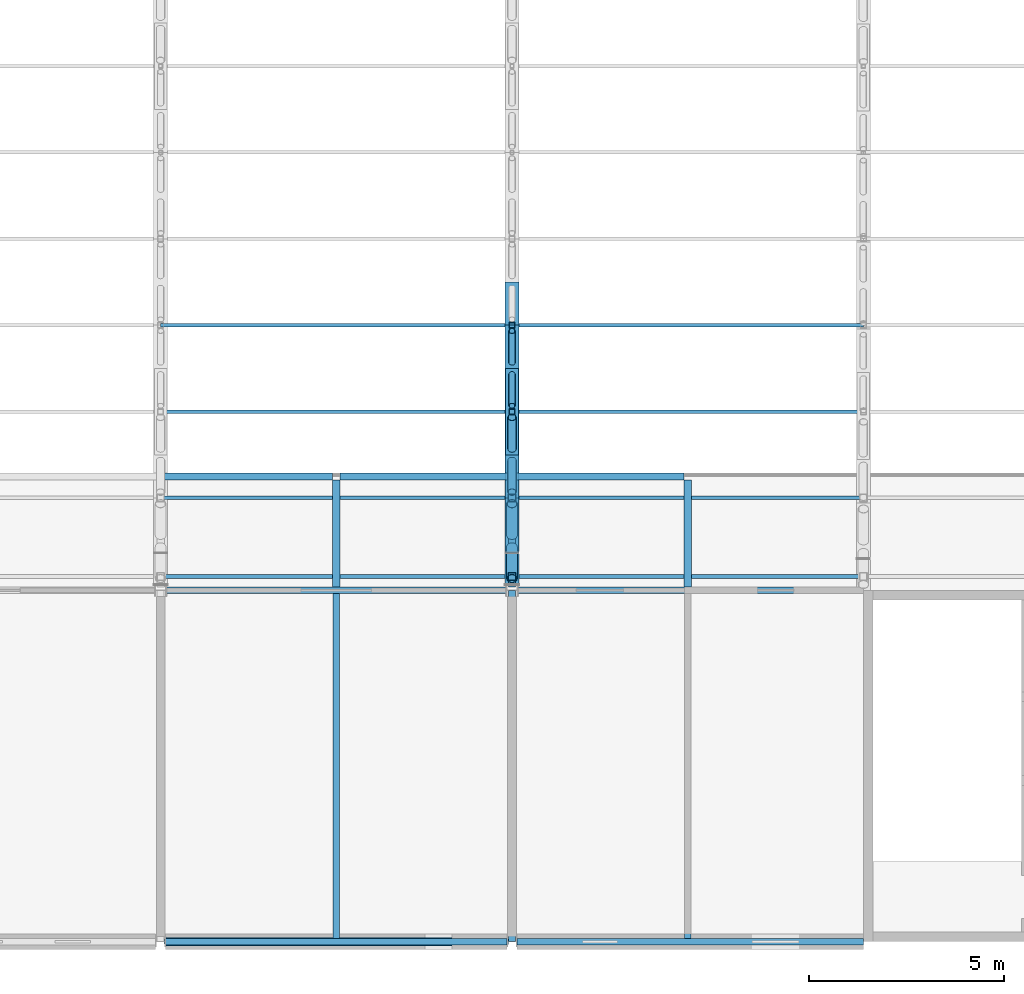
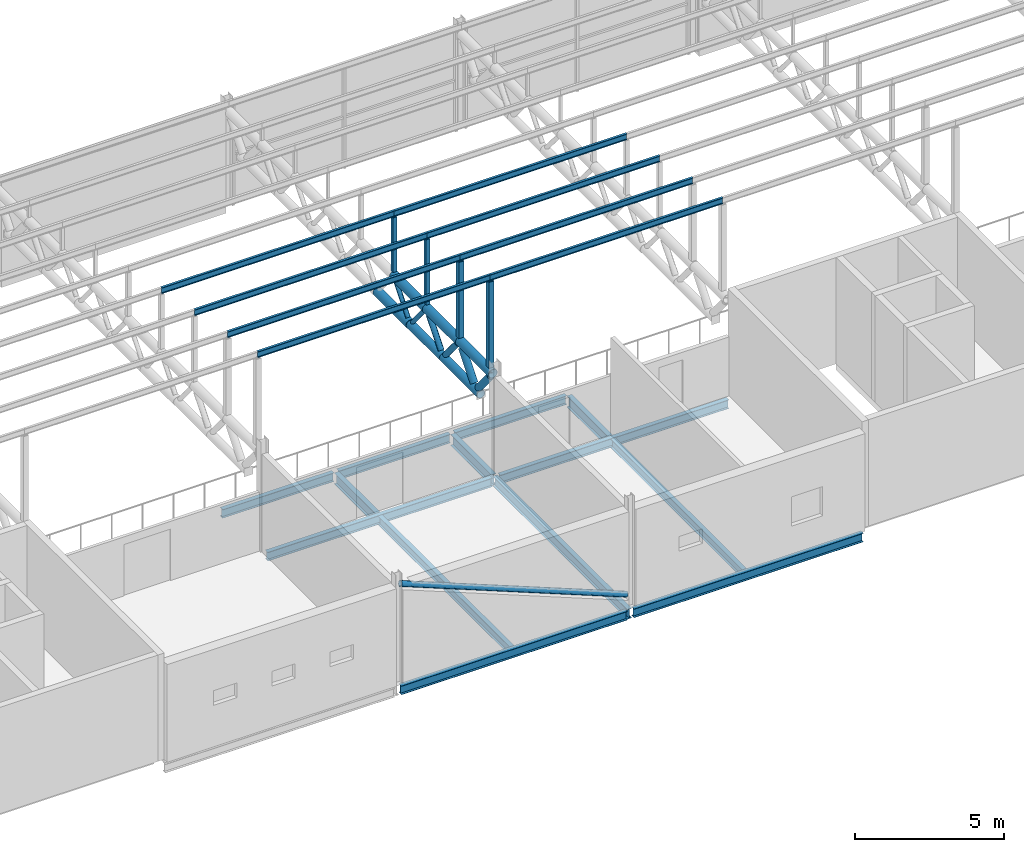
# One storey, part 43 of 138: 25 members, 13 beams.
"""IFC4 building model written with IfcOpenShell, lengths in metres."""

import ifcopenshell
import ifcopenshell.guid

model = None  # the IFC model being written
_history = None  # IfcOwnerHistory: only IFC2X3 demands one
_inside = {}  # id of a spatial element -> (the spatial element, [elements in it])
_under = {}  # id of a project, library or spatial element -> (it, [spatial elements below it])
_declared = {}  # id of a project -> (the project, [libraries it declares])
_typed = {}  # id of a type object -> (the type object, [elements of that type])
_made_of = {}  # id of a material, layer set ... -> (it, [elements and type objects made of it])


def new_model(schema):
    """Start an empty IFC model of exactly this schema.

    Asked for "IFC4X3", IfcOpenShell would pick the latest addendum, in which some entities
    have other attributes; the version numbers below select the first issue.
    IFC2X3 requires an IfcOwnerHistory on every rooted entity: one is made here for all.
    """
    global model, _history
    if schema == "IFC4X3":
        model = ifcopenshell.file(schema_version=(4, 3, 0, 0))
    else:
        model = ifcopenshell.file(schema=schema)
    _inside.clear()
    _under.clear()
    _declared.clear()
    _typed.clear()
    _made_of.clear()
    _history = None
    if model.schema == "IFC2X3":
        org = make("IfcOrganization", Name="unknown")
        user = make(
            "IfcPersonAndOrganization",
            ThePerson=make("IfcPerson", FamilyName="unknown"),
            TheOrganization=org,
        )
        app = make(
            "IfcApplication",
            ApplicationDeveloper=org,
            Version="unknown",
            ApplicationFullName="unknown",
            ApplicationIdentifier="unknown",
        )
        _history = make(
            "IfcOwnerHistory",
            OwningUser=user,
            OwningApplication=app,
            ChangeAction="ADDED",
            CreationDate=0,
        )
    return model


def make(cls, **values):
    """One entity of the class cls with the attributes given. An attribute that is None is left unset."""
    return model.create_entity(
        cls, **{name: value for name, value in values.items() if value is not None}
    )


def rooted(cls, **values):
    """An entity with a GlobalId (a new one), such as an element, a storey or a relation."""
    return make(cls, GlobalId=ifcopenshell.guid.new(), OwnerHistory=_history, **values)


def si_unit(unit_type, name, prefix=None):
    """IfcSIUnit, for example si_unit("LENGTHUNIT", "METRE", prefix="MILLI")."""
    return make("IfcSIUnit", UnitType=unit_type, Prefix=prefix, Name=name)


def assignment(units):
    """IfcUnitAssignment: the units of a project."""
    return None if units is None else make("IfcUnitAssignment", Units=units)


def point(xyz):
    """IfcCartesianPoint."""
    return None if xyz is None else make("IfcCartesianPoint", Coordinates=xyz)


def direction(xyz):
    """IfcDirection."""
    return None if xyz is None else make("IfcDirection", DirectionRatios=xyz)


def frame(location, z_axis=None, x_axis=None):
    """IfcAxis2Placement3D, a coordinate frame: its origin and axes. An axis left out is left unset."""
    return make(
        "IfcAxis2Placement3D",
        Location=point(location),
        Axis=direction(z_axis),
        RefDirection=direction(x_axis),
    )


def frame_2d(location, x_axis=None):
    """IfcAxis2Placement2D, a coordinate frame in the plane: its origin and x axis."""
    return make(
        "IfcAxis2Placement2D", Location=point(location), RefDirection=direction(x_axis)
    )


def origin():
    """The frame at (0, 0, 0) with its axes left unset."""
    return frame((0.0, 0.0, 0.0))


def origin_2d():
    """The frame at (0, 0) in the plane with its x axis left unset."""
    return frame_2d((0.0, 0.0))


def place(relative_to, where):
    """IfcLocalPlacement: puts the frame where relative to a parent placement (None: the world)."""
    return make(
        "IfcLocalPlacement", PlacementRelTo=relative_to, RelativePlacement=where
    )


def context(
    kind, dimensions, precision=None, world=None, true_north=None, identifier=None
):
    """IfcGeometricRepresentationContext, for example the 3D "Model" context."""
    return make(
        "IfcGeometricRepresentationContext",
        ContextIdentifier=identifier,
        ContextType=kind,
        CoordinateSpaceDimension=dimensions,
        Precision=precision,
        WorldCoordinateSystem=world,
        TrueNorth=true_north,
    )


def subcontext(parent, identifier, kind, view, scale=None):
    """IfcGeometricRepresentationSubContext, for example "Body" below "Model"."""
    return make(
        "IfcGeometricRepresentationSubContext",
        ContextIdentifier=identifier,
        ContextType=kind,
        ParentContext=parent,
        TargetScale=scale,
        TargetView=view,
    )


def project(units=None, contexts=None):
    """IfcProject with its units and contexts."""
    return rooted(
        "IfcProject",
        Name="project",
        RepresentationContexts=contexts,
        UnitsInContext=assignment(units),
    )


def spatial(cls, under=None, at=None, **own):
    """A site, building, storey or space (cls), placed at a placement, below another one or the project."""
    s = rooted(cls, ObjectPlacement=at, **own)
    if under is not None:
        _under.setdefault(under.id(), (under, []))[1].append(s)
    return s


def profile(cls, at=None, kind="AREA", **sizes):
    """A parametric profile (cls). Its sizes go by their IFC names, for example OverallWidth=200.0."""
    return make(cls, ProfileType=kind, Position=at, **sizes)


def hollow_rectangle(**sizes):
    """IfcRectangleHollowProfileDef."""
    return profile("IfcRectangleHollowProfileDef", **sizes)


def hollow_circle(**sizes):
    """IfcCircleHollowProfileDef."""
    return profile("IfcCircleHollowProfileDef", **sizes)


def i_section(**sizes):
    """IfcIShapeProfileDef."""
    return profile("IfcIShapeProfileDef", **sizes)


def extrude(swept, where, along, depth):
    """IfcExtrudedAreaSolid: the profile swept, set in the frame where, extruded along a direction by depth."""
    return make(
        "IfcExtrudedAreaSolid",
        SweptArea=swept,
        Position=where,
        ExtrudedDirection=direction(along),
        Depth=depth,
    )


def shape(context_of_items, identifier, shape_type, items):
    """IfcShapeRepresentation: the items that make up one representation, for example the "Body"."""
    return make(
        "IfcShapeRepresentation",
        ContextOfItems=context_of_items,
        RepresentationIdentifier=identifier,
        RepresentationType=shape_type,
        Items=items,
    )


def material(Name=None, Category=None):
    """IfcMaterial."""
    return make("IfcMaterial", Name=Name, Category=Category)


def material_profile(
    of_material, cross_section, Name=None, Category=None, Priority=None
):
    """IfcMaterialProfile: a cross section and its material."""
    return make(
        "IfcMaterialProfile",
        Name=Name,
        Material=of_material,
        Profile=cross_section,
        Priority=Priority,
        Category=Category,
    )


def profile_set(profiles, Name=None, composite=None):
    """IfcMaterialProfileSet."""
    return make(
        "IfcMaterialProfileSet",
        Name=Name,
        MaterialProfiles=profiles,
        CompositeProfile=composite,
    )


def made_of(thing, what):
    """Note that an element or type object is made of a material, layer set ...; save() writes the relation."""
    if what is not None:
        _made_of.setdefault(what.id(), (what, []))[1].append(thing)
    return thing


def type_object(cls, material=None, **own):
    """A type object (cls), such as IfcWallType, which elements share."""
    return made_of(rooted(cls, **own), material)


def element(
    cls,
    number,
    at=None,
    inside=None,
    cuts=None,
    type_object=None,
    material=None,
    context=None,
    identifier="Body",
    shape_type=None,
    held_by="IfcProductDefinitionShape",
    body=None,
    shapes=None,
    **own,
):
    """One element of the class cls, such as IfcWall. Its Tag is "e" and its number.

    at: its placement. inside: the storey or other place that contains it. cuts: it is an
    opening in that element (IfcRelVoidsElement). A single representation is given by context,
    identifier, shape_type and body (its items); several are given by shapes. held_by: the class
    of the entity that holds the representations. save() writes the other relations.
    """
    e = rooted(cls, Tag="e%d" % number, ObjectPlacement=at, **own)
    if body is not None:
        shapes = [shape(context, identifier, shape_type, body)]
    if shapes is not None:
        e.Representation = make(held_by, Representations=shapes)
    if inside is not None:
        _inside.setdefault(inside.id(), (inside, []))[1].append(e)
    if cuts is not None:
        rooted(
            "IfcRelVoidsElement", RelatingBuildingElement=cuts, RelatedOpeningElement=e
        )
    if type_object is not None:
        _typed.setdefault(type_object.id(), (type_object, []))[1].append(e)
    return made_of(e, material)


def aggregate(whole, parts):
    """IfcRelAggregates: a whole, such as a stair, and the parts it consists of."""
    return rooted("IfcRelAggregates", RelatingObject=whole, RelatedObjects=parts)


def save(model, path):
    """Write the relations noted so far, then the file.

    IfcRelAggregates (storeys below a building ...), IfcRelContainedInSpatialStructure (elements
    in a storey), IfcRelDefinesByType, IfcRelAssociatesMaterial and IfcRelDeclares: one each for
    every whole, place, type object, material and project.
    """
    for whole, parts in _under.values():
        aggregate(whole, parts)
    for where, things in _inside.values():
        rooted(
            "IfcRelContainedInSpatialStructure",
            RelatedElements=things,
            RelatingStructure=where,
        )
    for kind, things in _typed.values():
        rooted("IfcRelDefinesByType", RelatedObjects=things, RelatingType=kind)
    for what, things in _made_of.values():
        rooted("IfcRelAssociatesMaterial", RelatedObjects=things, RelatingMaterial=what)
    for by, libraries in _declared.values():
        rooted("IfcRelDeclares", RelatingContext=by, RelatedDefinitions=libraries)
    model.write(path)


model = new_model("IFC4")

# Units and contexts
model_context = context("Model", 3, precision=1e-05, world=origin(), true_north=direction((0.0, 1.0)))
body_context = subcontext(model_context, "Body", "Model", "MODEL_VIEW")
ifc_project = project(units=[si_unit("LENGTHUNIT", "METRE"), si_unit("AREAUNIT", "SQUARE_METRE"), si_unit("VOLUMEUNIT", "CUBIC_METRE"), si_unit("PLANEANGLEUNIT", "RADIAN"), si_unit("MASSUNIT", "GRAM", prefix="KILO")], contexts=[model_context])

# Site, building, storey
site_placement = place(None, origin())
site = spatial("IfcSite", under=ifc_project, at=site_placement, CompositionType="ELEMENT")
building_placement = place(site_placement, origin())
building = spatial("IfcBuilding", under=site, at=building_placement, Name="Corbel Yard City Hall", CompositionType="ELEMENT")
storey_placement = place(building_placement, frame((0.0, 0.0, 10.5)))
storey = spatial("IfcBuildingStorey", under=building, at=storey_placement, Name="L02", CompositionType="ELEMENT", Elevation=10.5)

# Beam
ifc_material_1 = material(Name="Steel Grade 300 (300 MPa yield)", Category="steel")
ifc_material_profile_1 = material_profile(ifc_material_1, i_section(OverallWidth=0.177978515625, OverallDepth=0.403076171875, WebThickness=0.007568359375, FlangeThickness=0.010986328125, at=origin_2d()), Name="410UB53.7")
ifc_profile_set_1 = profile_set([ifc_material_profile_1], Name="Steel Grade 300 (300 MPa yield)")
beam_type_1 = type_object("IfcBeamType", Name="Beam 410UB53.7", PredefinedType="BEAM", material=ifc_profile_set_1)
beam_1_placement = place(storey_placement, frame((72.0, 0.00537109375, -0.3515625), z_axis=(0.0, 1.0, 0.0), x_axis=(-1.0, 0.0, 0.0)))
element("IfcBeam", 1, at=beam_1_placement, inside=storey, type_object=beam_type_1, Name="Beam 410UB53.7 SB6 L02floor", PredefinedType="BEAM", context=body_context, shape_type="SweptSolid", body=[
    extrude(i_section(OverallWidth=0.177978515625, OverallDepth=0.403076171875, WebThickness=0.007568359375, FlangeThickness=0.010986328125, at=origin_2d()), origin(), (0.0, 0.0, 1.0), 8.98876953125),
])

# Member
ifc_material_2 = material(Name="Steel Grade C350L0", Category="steel")
ifc_material_profile_2 = material_profile(ifc_material_2, hollow_circle(Radius=0.109619140625, WallThickness=0.00830078125, at=origin_2d()), Name="219.1x8.2CHS")
ifc_profile_set_2 = profile_set([ifc_material_profile_2], Name="Steel Grade C350L0")
member_type_1 = type_object("IfcMemberType", Name="Braced bay diagonal 219.1x8.2CHS", PredefinedType="BRACE", material=ifc_profile_set_2)
member_1_placement = place(storey_placement, frame((63.126953125, 0.0, 4.0), z_axis=(0.928419485655, 0.0, -0.371533657502), x_axis=(0.0, 1.0, 0.0)))
element("IfcMember", 2, at=member_1_placement, inside=storey, type_object=member_type_1, Name="Brace 219.1x8.2CHS BR2", PredefinedType="BRACE", context=body_context, shape_type="SweptSolid", body=[
    extrude(hollow_circle(Radius=0.109619140625, WallThickness=0.00830078125, at=origin_2d()), origin(), (0.0, 0.0, 1.0), 9.42041015625),
])

# Beams
ifc_material_profile_3 = material_profile(ifc_material_1, i_section(OverallWidth=0.172119140625, OverallDepth=0.35888671875, WebThickness=0.008056640625, FlangeThickness=0.012939453125, at=origin_2d()), Name="360UB56.7")
ifc_profile_set_3 = profile_set([ifc_material_profile_3], Name="Steel Grade 300 (300 MPa yield)")
beam_type_2 = type_object("IfcBeamType", Name="Edge beam 360UB56.7", PredefinedType="BEAM", material=ifc_profile_set_3)
beam_2_placement = place(storey_placement, frame((63.1298828125, 0.0, -0.32958984375), z_axis=(1.0, 0.0, 0.0), x_axis=(0.0, 1.0, 0.0)))
element("IfcBeam", 3, at=beam_2_placement, inside=storey, type_object=beam_type_2, Name="Edge beam 360UB56.7 EB4 L02floor", PredefinedType="BEAM", context=body_context, shape_type="SweptSolid", body=[
    extrude(i_section(OverallWidth=0.172119140625, OverallDepth=0.35888671875, WebThickness=0.008056640625, FlangeThickness=0.012939453125, at=origin_2d()), origin(), (0.0, 0.0, 1.0), 8.740234375),
])
beam_3_placement = place(storey_placement, frame((72.1298828125, 0.0, -0.32958984375), z_axis=(1.0, 0.0, 0.0), x_axis=(0.0, 1.0, 0.0)))
element("IfcBeam", 4, at=beam_3_placement, inside=storey, type_object=beam_type_2, Name="Edge beam 360UB56.7 EB4 L02floor", PredefinedType="BEAM", context=body_context, shape_type="SweptSolid", body=[
    extrude(i_section(OverallWidth=0.172119140625, OverallDepth=0.35888671875, WebThickness=0.008056640625, FlangeThickness=0.012939453125, at=origin_2d()), origin(), (0.0, 0.0, 1.0), 8.8701171875),
])
beam_4_placement = place(storey_placement, frame((63.157470703125, 9.0, -0.32958984375), z_axis=(1.0, 0.0, 0.0), x_axis=(0.0, 1.0, 0.0)))
element("IfcBeam", 5, at=beam_4_placement, inside=storey, type_object=beam_type_2, Name="Edge beam 360UB56.7 EB4 L02floor", PredefinedType="BEAM", context=body_context, shape_type="SweptSolid", body=[
    extrude(i_section(OverallWidth=0.172119140625, OverallDepth=0.35888671875, WebThickness=0.008056640625, FlangeThickness=0.012939453125, at=origin_2d()), origin(), (0.0, 0.0, 1.0), 8.68505859375),
])
beam_5_placement = place(storey_placement, frame((72.157470703125, 9.0, -0.32958984375), z_axis=(1.0, 0.0, 0.0), x_axis=(0.0, 1.0, 0.0)))
element("IfcBeam", 6, at=beam_5_placement, inside=storey, type_object=beam_type_2, Name="Edge beam 360UB56.7 EB4 L02floor", PredefinedType="BEAM", context=body_context, shape_type="SweptSolid", body=[
    extrude(i_section(OverallWidth=0.172119140625, OverallDepth=0.35888671875, WebThickness=0.008056640625, FlangeThickness=0.012939453125, at=origin_2d()), origin(), (0.0, 0.0, 1.0), 8.842529296875),
])
ifc_material_profile_4 = material_profile(ifc_material_1, i_section(OverallWidth=0.18994140625, OverallDepth=0.4541015625, WebThickness=0.008544921875, FlangeThickness=0.0126953125, at=origin_2d()), Name="460UB67.1")
ifc_profile_set_4 = profile_set([ifc_material_profile_4], Name="Steel Grade 300 (300 MPa yield)")
beam_type_3 = type_object("IfcBeamType", Name="Gallery bracket 460UB67.1", PredefinedType="BEAM", material=ifc_profile_set_4)
for number, where, z_axis, x_axis, name in (
    (7, (67.5, 9.0859375, -0.376953125), (0.0, 1.0, 0.0), (-1.0, 0.0, 0.0), "Gallery bracket 460UB67.1 CB2 L02"),
    (8, (72.0, 9.0859375, -0.376953125), (0.0, 1.0, 0.0), (-1.0, 0.0, 0.0), "Gallery bracket 460UB67.1 CB2 L02"),
    (9, (76.5, 9.0859375, -0.376953125), (0.0, 1.0, 0.0), (-1.0, 0.0, 0.0), "Gallery bracket 460UB67.1 CB2 L02"),
):
    element("IfcBeam", number, at=place(storey_placement, frame(where, z_axis=z_axis, x_axis=x_axis)), inside=storey, type_object=beam_type_3, Name=name, PredefinedType="BEAM", context=body_context, shape_type="SweptSolid", body=[
        extrude(i_section(OverallWidth=0.18994140625, OverallDepth=0.4541015625, WebThickness=0.008544921875, FlangeThickness=0.0126953125, at=origin_2d()), origin(), (0.0, 0.0, 1.0), 2.7431640625),
    ])
ifc_material_profile_5 = material_profile(ifc_material_1, i_section(OverallWidth=0.1708984375, OverallDepth=0.35205078125, WebThickness=0.0068359375, FlangeThickness=0.009765625, at=origin_2d()), Name="360UB44.7")
ifc_profile_set_5 = profile_set([ifc_material_profile_5], Name="Steel Grade 300 (300 MPa yield)")
beam_type_4 = type_object("IfcBeamType", Name="Gallery edge beam 360UB44.7", PredefinedType="BEAM", material=ifc_profile_set_5)
for number, where, z_axis, x_axis, name in (
    (10, (63.094970703125, 11.91455078125, -0.325927734375), (1.0, 0.0, 0.0), (0.0, 1.0, 0.0), "Gallery edge beam 360UB44.7 EB13 L02"),
    (11, (67.594970703125, 11.91455078125, -0.325927734375), (1.0, 0.0, 0.0), (0.0, 1.0, 0.0), "Gallery edge beam 360UB44.7 EB13 L02"),
    (12, (72.094970703125, 11.91455078125, -0.325927734375), (1.0, 0.0, 0.0), (0.0, 1.0, 0.0), "Gallery edge beam 360UB44.7 EB13 L02"),
):
    element("IfcBeam", number, at=place(storey_placement, frame(where, z_axis=z_axis, x_axis=x_axis)), inside=storey, type_object=beam_type_4, Name=name, PredefinedType="BEAM", context=body_context, shape_type="SweptSolid", body=[
        extrude(i_section(OverallWidth=0.1708984375, OverallDepth=0.35205078125, WebThickness=0.0068359375, FlangeThickness=0.009765625, at=origin_2d()), origin(), (0.0, 0.0, 1.0), 4.31005859375),
    ])

# Members
ifc_material_profile_6 = material_profile(ifc_material_2, hollow_circle(Radius=0.161865234375, WallThickness=0.0126953125, at=origin_2d()), Name="323.9x12.7CHS")
ifc_profile_set_6 = profile_set([ifc_material_profile_6], Name="Steel Grade C350L0")
member_type_2 = type_object("IfcMemberType", Name="Hall roof truss bottom chord 323.9x12.7CHS", PredefinedType="CHORD", material=ifc_profile_set_6)
member_2_placement = place(storey_placement, frame((72.0, 9.95849609375, 2.59228515625), z_axis=(0.0, 1.0, 0.0), x_axis=(-1.0, 0.0, 0.0)))
element("IfcMember", 13, at=member_2_placement, inside=storey, type_object=member_type_2, Name="Hall roof truss bottom chord 323.9x12.7CHS TC2", PredefinedType="CHORD", context=body_context, shape_type="SweptSolid", body=[
    extrude(hollow_circle(Radius=0.161865234375, WallThickness=0.0126953125, at=origin_2d()), origin(), (0.0, 0.0, 1.0), 2.51171875),
])
member_3_placement = place(storey_placement, frame((72.0, 12.47021484375, 2.59228515625), z_axis=(0.0, 1.0, 0.0), x_axis=(-1.0, 0.0, 0.0)))
element("IfcMember", 14, at=member_3_placement, inside=storey, type_object=member_type_2, Name="Hall roof truss bottom chord 323.9x12.7CHS TC2", PredefinedType="CHORD", context=body_context, shape_type="SweptSolid", body=[
    extrude(hollow_circle(Radius=0.161865234375, WallThickness=0.0126953125, at=origin_2d()), origin(), (0.0, 0.0, 1.0), 2.2119140625),
])
ifc_material_profile_7 = material_profile(ifc_material_2, hollow_circle(Radius=0.177734375, WallThickness=0.0126953125, at=origin_2d()), Name="355.6x12.7CHS")
ifc_profile_set_7 = profile_set([ifc_material_profile_7], Name="Steel Grade C350L0")
member_type_3 = type_object("IfcMemberType", Name="Hall roof truss bottom chord 355.6x12.7CHS", PredefinedType="CHORD", material=ifc_profile_set_7)
member_4_placement = place(storey_placement, frame((72.0, 14.68212890625, 2.59228515625), z_axis=(0.0, 1.0, 0.0), x_axis=(-1.0, 0.0, 0.0)))
element("IfcMember", 15, at=member_4_placement, inside=storey, type_object=member_type_3, Name="Hall roof truss bottom chord 355.6x12.7CHS TC3", PredefinedType="CHORD", context=body_context, shape_type="SweptSolid", body=[
    extrude(hollow_circle(Radius=0.177734375, WallThickness=0.0126953125, at=origin_2d()), origin(), (0.0, 0.0, 1.0), 2.2119140625),
])
ifc_material_profile_8 = material_profile(ifc_material_2, hollow_circle(Radius=0.084228515625, WallThickness=0.007080078125, at=origin_2d()), Name="168.3x7.1CHS")
ifc_profile_set_8 = profile_set([ifc_material_profile_8], Name="Steel Grade C350L0")
member_type_4 = type_object("IfcMemberType", Name="Hall roof truss diagonal 168.3x7.1CHS", PredefinedType="STRUT", material=ifc_profile_set_8)
for number, where, z_axis, x_axis, name in (
    (16, (72.0, 13.72412109375, 3.744384765625), (0.0, 0.639407153698, -0.768868318894), (-1.0, 0.0, 0.0), "Hall roof truss diagonal 168.3x7.1CHS TD3"),
    (17, (72.0, 14.830078125, 2.77001953125), (0.0, 0.639407153698, 0.768868318894), (-1.0, 0.0, 0.0), "Hall roof truss diagonal 168.3x7.1CHS TD3"),
):
    element("IfcMember", number, at=place(storey_placement, frame(where, z_axis=z_axis, x_axis=x_axis)), inside=storey, type_object=member_type_4, Name=name, PredefinedType="STRUT", context=body_context, shape_type="SweptSolid", body=[
        extrude(hollow_circle(Radius=0.084228515625, WallThickness=0.007080078125, at=origin_2d()), origin(), (0.0, 0.0, 1.0), 1.267333984375),
    ])
ifc_material_profile_9 = material_profile(ifc_material_2, hollow_circle(Radius=0.109619140625, WallThickness=0.00830078125, at=origin_2d()), Name="219.1x8.2CHS")
ifc_profile_set_9 = profile_set([ifc_material_profile_9], Name="Steel Grade C350L0")
member_type_5 = type_object("IfcMemberType", Name="Hall roof truss diagonal 219.1x8.2CHS", PredefinedType="STRUT", material=ifc_profile_set_9)
for number, where, z_axis, x_axis, name in (
    (18, (72.0, 11.51220703125, 3.744384765625), (0.0, 0.639407153698, -0.768868318894), (-1.0, 0.0, 0.0), "Hall roof truss diagonal 219.1x8.2CHS TD2"),
    (19, (72.0, 12.6181640625, 2.77001953125), (0.0, 0.639407153698, 0.768868318894), (-1.0, 0.0, 0.0), "Hall roof truss diagonal 219.1x8.2CHS TD2"),
):
    element("IfcMember", number, at=place(storey_placement, frame(where, z_axis=z_axis, x_axis=x_axis)), inside=storey, type_object=member_type_5, Name=name, PredefinedType="STRUT", context=body_context, shape_type="SweptSolid", body=[
        extrude(hollow_circle(Radius=0.109619140625, WallThickness=0.00830078125, at=origin_2d()), origin(), (0.0, 0.0, 1.0), 1.267333984375),
    ])
ifc_material_profile_10 = material_profile(ifc_material_2, hollow_circle(Radius=0.136474609375, WallThickness=0.00927734375, at=origin_2d()), Name="273.1x9.3CHS")
ifc_profile_set_10 = profile_set([ifc_material_profile_10], Name="Steel Grade C350L0")
member_type_6 = type_object("IfcMemberType", Name="Hall roof truss diagonal 273.1x9.3CHS", PredefinedType="STRUT", material=ifc_profile_set_10)
for number, where, z_axis, x_axis, name in (
    (20, (72.0, 9.30029296875, 3.744384765625), (0.0, 0.639407153698, -0.768868318894), (-1.0, 0.0, 0.0), "Hall roof truss diagonal 273.1x9.3CHS TD1"),
    (21, (72.0, 10.40625, 2.77001953125), (0.0, 0.639407153698, 0.768868318894), (-1.0, 0.0, 0.0), "Hall roof truss diagonal 273.1x9.3CHS TD1"),
):
    element("IfcMember", number, at=place(storey_placement, frame(where, z_axis=z_axis, x_axis=x_axis)), inside=storey, type_object=member_type_6, Name=name, PredefinedType="STRUT", context=body_context, shape_type="SweptSolid", body=[
        extrude(hollow_circle(Radius=0.136474609375, WallThickness=0.00927734375, at=origin_2d()), origin(), (0.0, 0.0, 1.0), 1.267333984375),
    ])
ifc_material_profile_11 = material_profile(ifc_material_2, hollow_circle(Radius=0.177734375, WallThickness=0.0126953125, at=origin_2d()), Name="355.6x12.7CHS")
ifc_profile_set_11 = profile_set([ifc_material_profile_11], Name="Steel Grade C350L0")
member_type_7 = type_object("IfcMemberType", Name="Hall roof truss top chord 355.6x12.7CHS", PredefinedType="CHORD", material=ifc_profile_set_11)
member_5_placement = place(storey_placement, frame((72.0, 9.152587890625, 3.922119140625), z_axis=(0.0, 1.0, 0.0), x_axis=(-1.0, 0.0, 0.0)))
element("IfcMember", 22, at=member_5_placement, inside=storey, type_object=member_type_7, Name="Hall roof truss top chord 355.6x12.7CHS TC1", PredefinedType="CHORD", context=body_context, shape_type="SweptSolid", body=[
    extrude(hollow_circle(Radius=0.177734375, WallThickness=0.0126953125, at=origin_2d()), origin(), (0.0, 0.0, 1.0), 2.211669921875),
])
for number, where, z_axis, x_axis, name in (
    (23, (72.0, 11.3642578125, 3.922119140625), (0.0, 1.0, 0.0), (-1.0, 0.0, 0.0), "Hall roof truss top chord 355.6x12.7CHS TC1"),
    (24, (72.0, 13.576171875, 3.922119140625), (0.0, 1.0, 0.0), (-1.0, 0.0, 0.0), "Hall roof truss top chord 355.6x12.7CHS TC1"),
):
    element("IfcMember", number, at=place(storey_placement, frame(where, z_axis=z_axis, x_axis=x_axis)), inside=storey, type_object=member_type_7, Name=name, PredefinedType="CHORD", context=body_context, shape_type="SweptSolid", body=[
        extrude(hollow_circle(Radius=0.177734375, WallThickness=0.0126953125, at=origin_2d()), origin(), (0.0, 0.0, 1.0), 2.2119140625),
    ])
ifc_material_profile_12 = material_profile(ifc_material_1, i_section(OverallWidth=0.090087890625, OverallDepth=0.25, WebThickness=0.008056640625, FlangeThickness=0.014892578125, at=origin_2d()), Name="250PFC")
ifc_profile_set_12 = profile_set([ifc_material_profile_12], Name="Steel Grade 300 (300 MPa yield)")
member_type_8 = type_object("IfcMemberType", Name="Purlin 250PFC", PredefinedType="PURLIN", material=ifc_profile_set_12)
for number, where, z_axis, x_axis, name in (
    (25, (63.0, 9.3525390625, 7.74560546875), (1.0, 0.0, 0.0), (0.0, 1.0, 0.0), "Purlin 250PFC PU1"),
    (26, (63.0, 11.3642578125, 7.343017578125), (1.0, 0.0, 0.0), (0.0, 1.0, 0.0), "Purlin 250PFC PU1"),
    (27, (63.0, 13.576171875, 6.900634765625), (1.0, 0.0, 0.0), (0.0, 1.0, 0.0), "Purlin 250PFC PU1"),
    (28, (63.0, 15.7880859375, 6.45849609375), (1.0, 0.0, 0.0), (0.0, 1.0, 0.0), "Purlin 250PFC PU1"),
    (29, (72.0, 9.3525390625, 7.74560546875), (1.0, 0.0, 0.0), (0.0, 1.0, 0.0), "Purlin 250PFC PU1"),
    (30, (72.0, 11.3642578125, 7.343017578125), (1.0, 0.0, 0.0), (0.0, 1.0, 0.0), "Purlin 250PFC PU1"),
    (31, (72.0, 13.576171875, 6.900634765625), (1.0, 0.0, 0.0), (0.0, 1.0, 0.0), "Purlin 250PFC PU1"),
    (32, (72.0, 15.7880859375, 6.45849609375), (1.0, 0.0, 0.0), (0.0, 1.0, 0.0), "Purlin 250PFC PU1"),
):
    element("IfcMember", number, at=place(storey_placement, frame(where, z_axis=z_axis, x_axis=x_axis)), inside=storey, type_object=member_type_8, Name=name, PredefinedType="PURLIN", context=body_context, shape_type="SweptSolid", body=[
        extrude(i_section(OverallWidth=0.090087890625, OverallDepth=0.25, WebThickness=0.008056640625, FlangeThickness=0.014892578125, at=origin_2d()), origin(), (0.0, 0.0, 1.0), 9.0),
    ])
ifc_material_3 = material(Name="Steel Grade C450L0", Category="steel")
ifc_material_profile_13 = material_profile(ifc_material_3, hollow_rectangle(XDim=0.14990234375, YDim=0.14990234375, WallThickness=0.009033203125, at=origin_2d()), Name="150x150x9.0SHS")
ifc_profile_set_13 = profile_set([ifc_material_profile_13], Name="Steel Grade C450L0")
member_type_9 = type_object("IfcMemberType", Name="Roof post 150x150x9.0SHS", PredefinedType="POST", material=ifc_profile_set_13)
member_6_placement = place(storey_placement, frame((72.0, 13.576171875, 4.10009765625), z_axis=(0.0, 0.0, 1.0), x_axis=(1.0, 0.0, 0.0)))
element("IfcMember", 33, at=member_6_placement, inside=storey, type_object=member_type_9, Name="Roof post 150x150x9.0SHS RP2", PredefinedType="POST", context=body_context, shape_type="SweptSolid", body=[
    extrude(hollow_rectangle(XDim=0.14990234375, YDim=0.14990234375, WallThickness=0.009033203125, at=origin_2d()), origin(), (0.0, 0.0, 1.0), 2.675537109375),
])
member_7_placement = place(storey_placement, frame((72.0, 15.7880859375, 4.10009765625), z_axis=(0.0, 0.0, 1.0), x_axis=(1.0, 0.0, 0.0)))
element("IfcMember", 34, at=member_7_placement, inside=storey, type_object=member_type_9, Name="Roof post 150x150x9.0SHS RP2", PredefinedType="POST", context=body_context, shape_type="SweptSolid", body=[
    extrude(hollow_rectangle(XDim=0.14990234375, YDim=0.14990234375, WallThickness=0.009033203125, at=origin_2d()), origin(), (0.0, 0.0, 1.0), 2.2333984375),
])
ifc_material_profile_14 = material_profile(ifc_material_3, hollow_rectangle(XDim=0.199951171875, YDim=0.199951171875, WallThickness=0.009033203125, at=origin_2d()), Name="200x200x9.0SHS")
ifc_profile_set_14 = profile_set([ifc_material_profile_14], Name="Steel Grade C450L0")
member_type_10 = type_object("IfcMemberType", Name="Roof post 200x200x9.0SHS", PredefinedType="POST", material=ifc_profile_set_14)
member_8_placement = place(storey_placement, frame((72.0, 9.3525390625, 4.10009765625), z_axis=(0.0, 0.0, 1.0), x_axis=(1.0, 0.0, 0.0)))
element("IfcMember", 35, at=member_8_placement, inside=storey, type_object=member_type_10, Name="Roof post 200x200x9.0SHS RP1", PredefinedType="POST", context=body_context, shape_type="SweptSolid", body=[
    extrude(hollow_rectangle(XDim=0.199951171875, YDim=0.199951171875, WallThickness=0.009033203125, at=origin_2d()), origin(), (0.0, 0.0, 1.0), 3.5205078125),
])
member_9_placement = place(storey_placement, frame((72.0, 11.3642578125, 4.10009765625), z_axis=(0.0, 0.0, 1.0), x_axis=(1.0, 0.0, 0.0)))
element("IfcMember", 36, at=member_9_placement, inside=storey, type_object=member_type_10, Name="Roof post 200x200x9.0SHS RP1", PredefinedType="POST", context=body_context, shape_type="SweptSolid", body=[
    extrude(hollow_rectangle(XDim=0.199951171875, YDim=0.199951171875, WallThickness=0.009033203125, at=origin_2d()), origin(), (0.0, 0.0, 1.0), 3.117919921875),
])

# Beams
ifc_material_profile_15 = material_profile(ifc_material_1, i_section(OverallWidth=0.1708984375, OverallDepth=0.35595703125, WebThickness=0.00732421875, FlangeThickness=0.011474609375, at=origin_2d()), Name="360UB50.7")
ifc_profile_set_15 = profile_set([ifc_material_profile_15], Name="Steel Grade 300 (300 MPa yield)")
beam_type_5 = type_object("IfcBeamType", Name="Secondary beam 360UB50.7", PredefinedType="JOIST", material=ifc_profile_set_15)
for number, where, z_axis, x_axis, name in (
    (37, (67.5, 0.0859375, -0.327880859375), (0.0, 1.0, 0.0), (-1.0, 0.0, 0.0), "Secondary beam 360UB50.7 SB10 L02floor"),
    (38, (76.5, 0.0859375, -0.327880859375), (0.0, 1.0, 0.0), (-1.0, 0.0, 0.0), "Secondary beam 360UB50.7 SB10 L02floor"),
):
    element("IfcBeam", number, at=place(storey_placement, frame(where, z_axis=z_axis, x_axis=x_axis)), inside=storey, type_object=beam_type_5, Name=name, PredefinedType="JOIST", context=body_context, shape_type="SweptSolid", body=[
        extrude(i_section(OverallWidth=0.1708984375, OverallDepth=0.35595703125, WebThickness=0.00732421875, FlangeThickness=0.011474609375, at=origin_2d()), origin(), (0.0, 0.0, 1.0), 8.828125),
    ])

save(model, "model.ifc")
